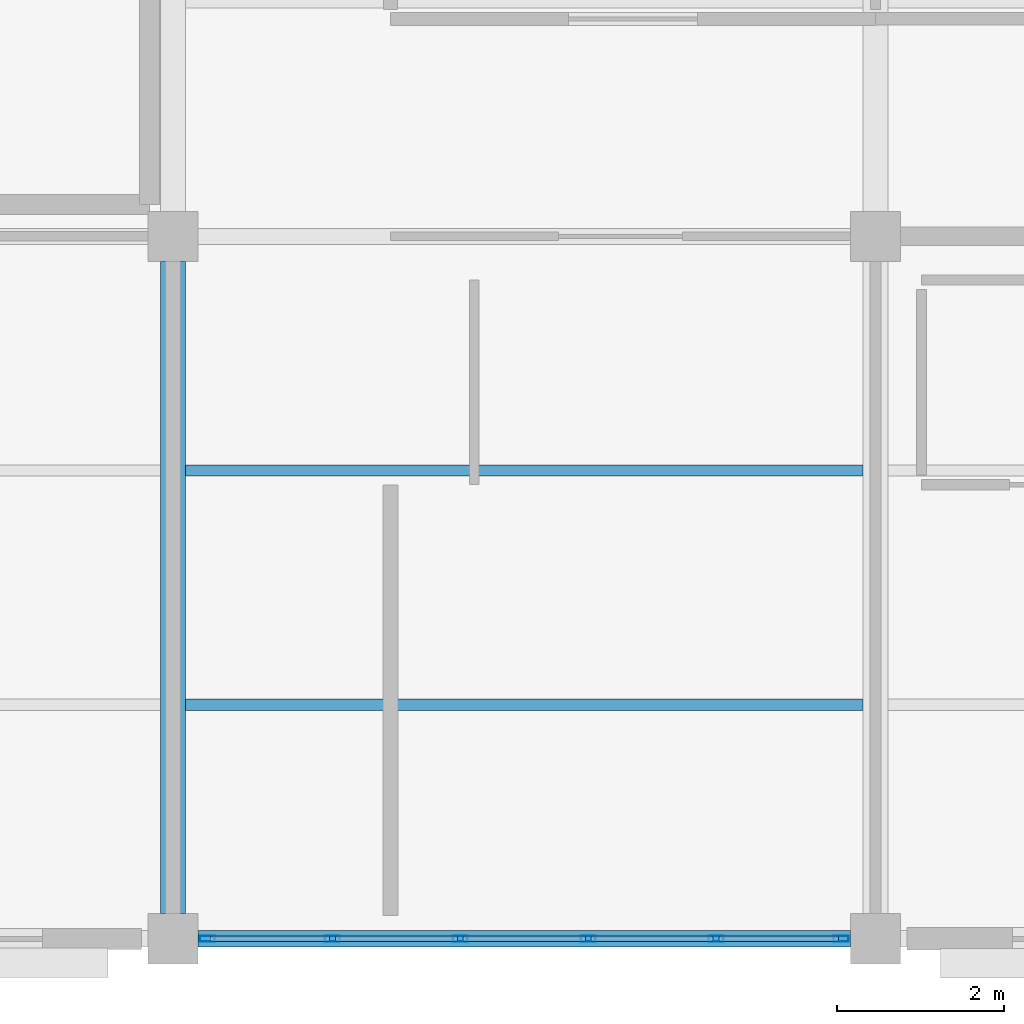
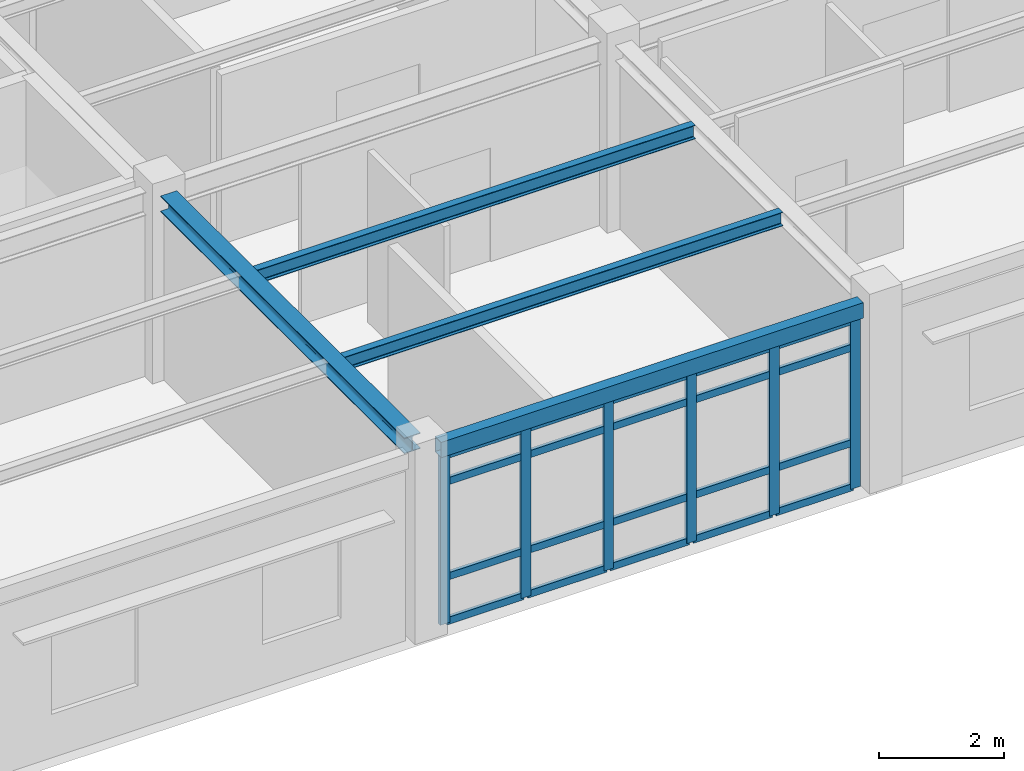
# One storey, part 6 of 70: 26 members, 4 beams, 1 element without a shape of its own.
"""IFC4 building model written with IfcOpenShell, lengths in metres."""

from ifc_helpers import new_model, si_unit, direction, frame, origin, origin_2d, place, context, subcontext, project, spatial, hollow_rectangle, i_section, extrude, material, layer, layer_set, material_profile, profile_set, type_object, element, aggregate, save


model = new_model("IFC4")

# Units and contexts
model_context = context("Model", 3, precision=1e-05, world=origin(), true_north=direction((0.0, 1.0)))
body_context = subcontext(model_context, "Body", "Model", "MODEL_VIEW")
ifc_project = project(units=[si_unit("LENGTHUNIT", "METRE"), si_unit("AREAUNIT", "SQUARE_METRE"), si_unit("VOLUMEUNIT", "CUBIC_METRE"), si_unit("PLANEANGLEUNIT", "RADIAN"), si_unit("MASSUNIT", "GRAM", prefix="KILO")], contexts=[model_context])

# Site, building, storey
site_placement = place(None, origin())
site = spatial("IfcSite", under=ifc_project, at=site_placement, CompositionType="ELEMENT")
building_placement = place(site_placement, origin())
building = spatial("IfcBuilding", under=site, at=building_placement, Name="Bramfleet General Hospital", CompositionType="ELEMENT")
storey_placement = place(building_placement, frame((0.0, 0.0, 22.5)))
storey = spatial("IfcBuildingStorey", under=building, at=storey_placement, Name="L05", CompositionType="ELEMENT", Elevation=22.5)

# Beams
ifc_material_1 = material(Name="Steel S355", Category="steel")
ifc_material_profile_1 = material_profile(ifc_material_1, i_section(OverallWidth=0.300048828125, OverallDepth=0.31005859375, WebThickness=0.009033203125, FlangeThickness=0.015380859375, FilletRadius=0.027099609375, at=origin_2d()), Name="HEA 320")
ifc_profile_set_1 = profile_set([ifc_material_profile_1], Name="Steel S355")
beam_type_1 = type_object("IfcBeamType", Name="BM-HEA320", PredefinedType="BEAM", material=ifc_profile_set_1)
beam_1_placement = place(storey_placement, frame((109.199951171875, 0.300048828125, 3.465087890625), z_axis=(0.0, 1.0, 0.0), x_axis=(-1.0, 0.0, 0.0)))
element("IfcBeam", 1, at=beam_1_placement, inside=storey, type_object=beam_type_1, Name="L05 Grid Beam Y 13-00", PredefinedType="BEAM", context=body_context, shape_type="SweptSolid", body=[
    extrude(i_section(OverallWidth=0.300048828125, OverallDepth=0.31005859375, WebThickness=0.009033203125, FlangeThickness=0.015380859375, FilletRadius=0.027099609375, at=origin_2d()), origin(), (0.0, 0.0, 1.0), 7.800048828125),
])
ifc_material_profile_2 = material_profile(ifc_material_1, i_section(OverallWidth=0.135009765625, OverallDepth=0.27001953125, WebThickness=0.006591796875, FlangeThickness=0.01025390625, FilletRadius=0.014892578125, at=origin_2d()), Name="IPE 270")
ifc_profile_set_2 = profile_set([ifc_material_profile_2], Name="Steel S355")
beam_type_2 = type_object("IfcBeamType", Name="BM-IPE270", PredefinedType="JOIST", material=ifc_profile_set_2)
for number, where, z_axis, x_axis, name in (
    (2, (109.35009765625, 2.800048828125, 3.485107421875), (1.0, 0.0, 0.0), (0.0, 1.0, 0.0), "L05 Secondary Joist 13-00-1"),
    (3, (109.35009765625, 5.60009765625, 3.485107421875), (1.0, 0.0, 0.0), (0.0, 1.0, 0.0), "L05 Secondary Joist 13-00-2"),
):
    element("IfcBeam", number, at=place(storey_placement, frame(where, z_axis=z_axis, x_axis=x_axis)), inside=storey, type_object=beam_type_2, Name=name, PredefinedType="JOIST", context=body_context, shape_type="SweptSolid", body=[
        extrude(i_section(OverallWidth=0.135009765625, OverallDepth=0.27001953125, WebThickness=0.006591796875, FlangeThickness=0.01025390625, FilletRadius=0.014892578125, at=origin_2d()), origin(), (0.0, 0.0, 1.0), 8.099853515625),
    ])
ifc_material_profile_3 = material_profile(ifc_material_1, hollow_rectangle(XDim=0.199951171875, YDim=0.300048828125, WallThickness=0.012451171875, at=origin_2d()), Name="RHS 300x200x12.5")
ifc_profile_set_3 = profile_set([ifc_material_profile_3], Name="Steel S355")
beam_type_3 = type_object("IfcBeamType", Name="BM-RHS300", PredefinedType="SPANDREL", material=ifc_profile_set_3)
beam_2_placement = place(storey_placement, frame((109.5, 0.0, 3.469970703125), z_axis=(1.0, 0.0, 0.0), x_axis=(0.0, 1.0, 0.0)))
element("IfcBeam", 4, at=beam_2_placement, inside=storey, type_object=beam_type_3, Name="L05 Grid Beam X 13-00", PredefinedType="SPANDREL", context=body_context, shape_type="SweptSolid", body=[
    extrude(hollow_rectangle(XDim=0.199951171875, YDim=0.300048828125, WallThickness=0.012451171875, at=origin_2d()), origin(), (0.0, 0.0, 1.0), 7.800048828125),
])

# Curtain wall, members
ifc_material_2 = material(Name="Anodised aluminium and low-E triple glazing", Category="aluminium")
ifc_layer = layer(ifc_material_2, 0.179931640625, Name="CWT-CW-12")
ifc_layer_set = layer_set([ifc_layer], Name="Anodised aluminium and low-E triple glazing")
curtain_wall_type = type_object("IfcCurtainWallType", Name="CWT-CW-12", PredefinedType="USERDEFINED", material=ifc_layer_set)
curtain_wall_placement = place(storey_placement, origin())
curtain_wall = element("IfcCurtainWall", 5, at=curtain_wall_placement, inside=storey, type_object=curtain_wall_type, Name="L05 Curtain Wall 210", ObjectType="Stick curtain wall", PredefinedType="USERDEFINED")
ifc_material_3 = material(Name="Anodised aluminium EN AW-6060", Category="aluminium")
ifc_material_profile_4 = material_profile(ifc_material_3, hollow_rectangle(XDim=0.070068359375, YDim=0.179931640625, WallThickness=0.00390625, at=origin_2d()), Name="ALU 180x70x4.0")
ifc_profile_set_4 = profile_set([ifc_material_profile_4], Name="Anodised aluminium EN AW-6060")
member_type_1 = type_object("IfcMemberType", Name="CWM-ALU180", PredefinedType="MULLION", material=ifc_profile_set_4)
member_1_placement = place(storey_placement, frame((117.18994140625, 0.0, 0.0), z_axis=(0.0, 0.0, 1.0), x_axis=(0.0, -1.0, 0.0)))
member_1 = element("IfcMember", 6, at=member_1_placement, type_object=member_type_1, Name="CW-12 mullion 1", PredefinedType="MULLION", context=body_context, shape_type="SweptSolid", body=[
    extrude(hollow_rectangle(XDim=0.070068359375, YDim=0.179931640625, WallThickness=0.00390625, at=origin_2d()), origin(), (0.0, 0.0, 1.0), 3.31005859375),
])
member_2_placement = place(storey_placement, frame((115.695068359375, 0.0, 0.0), z_axis=(0.0, 0.0, 1.0), x_axis=(0.0, -1.0, 0.0)))
member_2 = element("IfcMember", 7, at=member_2_placement, type_object=member_type_1, Name="CW-12 mullion 2", PredefinedType="MULLION", context=body_context, shape_type="SweptSolid", body=[
    extrude(hollow_rectangle(XDim=0.070068359375, YDim=0.179931640625, WallThickness=0.00390625, at=origin_2d()), origin(), (0.0, 0.0, 1.0), 3.31005859375),
])
member_3_placement = place(storey_placement, frame((114.1650390625, 0.0, 0.0), z_axis=(0.0, 0.0, 1.0), x_axis=(0.0, -1.0, 0.0)))
member_3 = element("IfcMember", 8, at=member_3_placement, type_object=member_type_1, Name="CW-12 mullion 3", PredefinedType="MULLION", context=body_context, shape_type="SweptSolid", body=[
    extrude(hollow_rectangle(XDim=0.070068359375, YDim=0.179931640625, WallThickness=0.00390625, at=origin_2d()), origin(), (0.0, 0.0, 1.0), 3.31005859375),
])
member_4_placement = place(storey_placement, frame((112.635009765625, 0.0, 0.0), z_axis=(0.0, 0.0, 1.0), x_axis=(0.0, -1.0, 0.0)))
member_4 = element("IfcMember", 9, at=member_4_placement, type_object=member_type_1, Name="CW-12 mullion 4", PredefinedType="MULLION", context=body_context, shape_type="SweptSolid", body=[
    extrude(hollow_rectangle(XDim=0.070068359375, YDim=0.179931640625, WallThickness=0.00390625, at=origin_2d()), origin(), (0.0, 0.0, 1.0), 3.31005859375),
])
member_5_placement = place(storey_placement, frame((111.10498046875, 0.0, 0.0), z_axis=(0.0, 0.0, 1.0), x_axis=(0.0, -1.0, 0.0)))
member_5 = element("IfcMember", 10, at=member_5_placement, type_object=member_type_1, Name="CW-12 mullion 5", PredefinedType="MULLION", context=body_context, shape_type="SweptSolid", body=[
    extrude(hollow_rectangle(XDim=0.070068359375, YDim=0.179931640625, WallThickness=0.00390625, at=origin_2d()), origin(), (0.0, 0.0, 1.0), 3.31005859375),
])
member_6_placement = place(storey_placement, frame((109.610107421875, 0.0, 0.0), z_axis=(0.0, 0.0, 1.0), x_axis=(0.0, -1.0, 0.0)))
member_6 = element("IfcMember", 11, at=member_6_placement, type_object=member_type_1, Name="CW-12 mullion 6", PredefinedType="MULLION", context=body_context, shape_type="SweptSolid", body=[
    extrude(hollow_rectangle(XDim=0.070068359375, YDim=0.179931640625, WallThickness=0.00390625, at=origin_2d()), origin(), (0.0, 0.0, 1.0), 3.31005859375),
])
ifc_material_profile_5 = material_profile(ifc_material_3, hollow_rectangle(XDim=0.06494140625, YDim=0.139892578125, WallThickness=0.00390625, at=origin_2d()), Name="ALU 140x65x4.0")
ifc_profile_set_5 = profile_set([ifc_material_profile_5], Name="Anodised aluminium EN AW-6060")
member_type_2 = type_object("IfcMemberType", Name="CWT-ALU140", PredefinedType="USERDEFINED", material=ifc_profile_set_5)
member_7_placement = place(storey_placement, frame((117.155029296875, 0.0, 0.032470703125), z_axis=(-1.0, 0.0, 0.0), x_axis=(0.0, -1.0, 0.0)))
member_7 = element("IfcMember", 12, at=member_7_placement, type_object=member_type_2, Name="CW-12 transom 1.1", ObjectType="TRANSOM", PredefinedType="USERDEFINED", context=body_context, shape_type="SweptSolid", body=[
    extrude(hollow_rectangle(XDim=0.06494140625, YDim=0.139892578125, WallThickness=0.00390625, at=origin_2d()), origin(), (0.0, 0.0, 1.0), 1.425048828125),
])
member_8_placement = place(storey_placement, frame((117.155029296875, 0.0, 0.89990234375), z_axis=(-1.0, 0.0, 0.0), x_axis=(0.0, -1.0, 0.0)))
member_8 = element("IfcMember", 13, at=member_8_placement, type_object=member_type_2, Name="CW-12 transom 1.2", ObjectType="TRANSOM", PredefinedType="USERDEFINED", context=body_context, shape_type="SweptSolid", body=[
    extrude(hollow_rectangle(XDim=0.06494140625, YDim=0.139892578125, WallThickness=0.00390625, at=origin_2d()), origin(), (0.0, 0.0, 1.0), 1.425048828125),
])
member_9_placement = place(storey_placement, frame((117.155029296875, 0.0, 2.760009765625), z_axis=(-1.0, 0.0, 0.0), x_axis=(0.0, -1.0, 0.0)))
member_9 = element("IfcMember", 14, at=member_9_placement, type_object=member_type_2, Name="CW-12 transom 1.3", ObjectType="TRANSOM", PredefinedType="USERDEFINED", context=body_context, shape_type="SweptSolid", body=[
    extrude(hollow_rectangle(XDim=0.06494140625, YDim=0.139892578125, WallThickness=0.00390625, at=origin_2d()), origin(), (0.0, 0.0, 1.0), 1.425048828125),
])
member_10_placement = place(storey_placement, frame((117.155029296875, 0.0, 3.277587890625), z_axis=(-1.0, 0.0, 0.0), x_axis=(0.0, -1.0, 0.0)))
member_10 = element("IfcMember", 15, at=member_10_placement, type_object=member_type_2, Name="CW-12 transom 1.4", ObjectType="TRANSOM", PredefinedType="USERDEFINED", context=body_context, shape_type="SweptSolid", body=[
    extrude(hollow_rectangle(XDim=0.06494140625, YDim=0.139892578125, WallThickness=0.00390625, at=origin_2d()), origin(), (0.0, 0.0, 1.0), 1.425048828125),
])
member_11_placement = place(storey_placement, frame((115.659912109375, 0.0, 0.032470703125), z_axis=(-1.0, 0.0, 0.0), x_axis=(0.0, -1.0, 0.0)))
member_11 = element("IfcMember", 16, at=member_11_placement, type_object=member_type_2, Name="CW-12 transom 2.1", ObjectType="TRANSOM", PredefinedType="USERDEFINED", context=body_context, shape_type="SweptSolid", body=[
    extrude(hollow_rectangle(XDim=0.06494140625, YDim=0.139892578125, WallThickness=0.00390625, at=origin_2d()), origin(), (0.0, 0.0, 1.0), 1.4599609375),
])
member_12_placement = place(storey_placement, frame((115.659912109375, 0.0, 0.89990234375), z_axis=(-1.0, 0.0, 0.0), x_axis=(0.0, -1.0, 0.0)))
member_12 = element("IfcMember", 17, at=member_12_placement, type_object=member_type_2, Name="CW-12 transom 2.2", ObjectType="TRANSOM", PredefinedType="USERDEFINED", context=body_context, shape_type="SweptSolid", body=[
    extrude(hollow_rectangle(XDim=0.06494140625, YDim=0.139892578125, WallThickness=0.00390625, at=origin_2d()), origin(), (0.0, 0.0, 1.0), 1.4599609375),
])
member_13_placement = place(storey_placement, frame((115.659912109375, 0.0, 2.760009765625), z_axis=(-1.0, 0.0, 0.0), x_axis=(0.0, -1.0, 0.0)))
member_13 = element("IfcMember", 18, at=member_13_placement, type_object=member_type_2, Name="CW-12 transom 2.3", ObjectType="TRANSOM", PredefinedType="USERDEFINED", context=body_context, shape_type="SweptSolid", body=[
    extrude(hollow_rectangle(XDim=0.06494140625, YDim=0.139892578125, WallThickness=0.00390625, at=origin_2d()), origin(), (0.0, 0.0, 1.0), 1.4599609375),
])
member_14_placement = place(storey_placement, frame((115.659912109375, 0.0, 3.277587890625), z_axis=(-1.0, 0.0, 0.0), x_axis=(0.0, -1.0, 0.0)))
member_14 = element("IfcMember", 19, at=member_14_placement, type_object=member_type_2, Name="CW-12 transom 2.4", ObjectType="TRANSOM", PredefinedType="USERDEFINED", context=body_context, shape_type="SweptSolid", body=[
    extrude(hollow_rectangle(XDim=0.06494140625, YDim=0.139892578125, WallThickness=0.00390625, at=origin_2d()), origin(), (0.0, 0.0, 1.0), 1.4599609375),
])
member_15_placement = place(storey_placement, frame((114.1298828125, 0.0, 0.032470703125), z_axis=(-1.0, 0.0, 0.0), x_axis=(0.0, -1.0, 0.0)))
member_15 = element("IfcMember", 20, at=member_15_placement, type_object=member_type_2, Name="CW-12 transom 3.1", ObjectType="TRANSOM", PredefinedType="USERDEFINED", context=body_context, shape_type="SweptSolid", body=[
    extrude(hollow_rectangle(XDim=0.06494140625, YDim=0.139892578125, WallThickness=0.00390625, at=origin_2d()), origin(), (0.0, 0.0, 1.0), 1.4599609375),
])
member_16_placement = place(storey_placement, frame((114.1298828125, 0.0, 0.89990234375), z_axis=(-1.0, 0.0, 0.0), x_axis=(0.0, -1.0, 0.0)))
member_16 = element("IfcMember", 21, at=member_16_placement, type_object=member_type_2, Name="CW-12 transom 3.2", ObjectType="TRANSOM", PredefinedType="USERDEFINED", context=body_context, shape_type="SweptSolid", body=[
    extrude(hollow_rectangle(XDim=0.06494140625, YDim=0.139892578125, WallThickness=0.00390625, at=origin_2d()), origin(), (0.0, 0.0, 1.0), 1.4599609375),
])
member_17_placement = place(storey_placement, frame((114.1298828125, 0.0, 2.760009765625), z_axis=(-1.0, 0.0, 0.0), x_axis=(0.0, -1.0, 0.0)))
member_17 = element("IfcMember", 22, at=member_17_placement, type_object=member_type_2, Name="CW-12 transom 3.3", ObjectType="TRANSOM", PredefinedType="USERDEFINED", context=body_context, shape_type="SweptSolid", body=[
    extrude(hollow_rectangle(XDim=0.06494140625, YDim=0.139892578125, WallThickness=0.00390625, at=origin_2d()), origin(), (0.0, 0.0, 1.0), 1.4599609375),
])
member_18_placement = place(storey_placement, frame((114.1298828125, 0.0, 3.277587890625), z_axis=(-1.0, 0.0, 0.0), x_axis=(0.0, -1.0, 0.0)))
member_18 = element("IfcMember", 23, at=member_18_placement, type_object=member_type_2, Name="CW-12 transom 3.4", ObjectType="TRANSOM", PredefinedType="USERDEFINED", context=body_context, shape_type="SweptSolid", body=[
    extrude(hollow_rectangle(XDim=0.06494140625, YDim=0.139892578125, WallThickness=0.00390625, at=origin_2d()), origin(), (0.0, 0.0, 1.0), 1.4599609375),
])
member_19_placement = place(storey_placement, frame((112.60009765625, 0.0, 0.032470703125), z_axis=(-1.0, 0.0, 0.0), x_axis=(0.0, -1.0, 0.0)))
member_19 = element("IfcMember", 24, at=member_19_placement, type_object=member_type_2, Name="CW-12 transom 4.1", ObjectType="TRANSOM", PredefinedType="USERDEFINED", context=body_context, shape_type="SweptSolid", body=[
    extrude(hollow_rectangle(XDim=0.06494140625, YDim=0.139892578125, WallThickness=0.00390625, at=origin_2d()), origin(), (0.0, 0.0, 1.0), 1.460205078125),
])
member_20_placement = place(storey_placement, frame((112.60009765625, 0.0, 0.89990234375), z_axis=(-1.0, 0.0, 0.0), x_axis=(0.0, -1.0, 0.0)))
member_20 = element("IfcMember", 25, at=member_20_placement, type_object=member_type_2, Name="CW-12 transom 4.2", ObjectType="TRANSOM", PredefinedType="USERDEFINED", context=body_context, shape_type="SweptSolid", body=[
    extrude(hollow_rectangle(XDim=0.06494140625, YDim=0.139892578125, WallThickness=0.00390625, at=origin_2d()), origin(), (0.0, 0.0, 1.0), 1.460205078125),
])
member_21_placement = place(storey_placement, frame((112.60009765625, 0.0, 2.760009765625), z_axis=(-1.0, 0.0, 0.0), x_axis=(0.0, -1.0, 0.0)))
member_21 = element("IfcMember", 26, at=member_21_placement, type_object=member_type_2, Name="CW-12 transom 4.3", ObjectType="TRANSOM", PredefinedType="USERDEFINED", context=body_context, shape_type="SweptSolid", body=[
    extrude(hollow_rectangle(XDim=0.06494140625, YDim=0.139892578125, WallThickness=0.00390625, at=origin_2d()), origin(), (0.0, 0.0, 1.0), 1.460205078125),
])
member_22_placement = place(storey_placement, frame((112.60009765625, 0.0, 3.277587890625), z_axis=(-1.0, 0.0, 0.0), x_axis=(0.0, -1.0, 0.0)))
member_22 = element("IfcMember", 27, at=member_22_placement, type_object=member_type_2, Name="CW-12 transom 4.4", ObjectType="TRANSOM", PredefinedType="USERDEFINED", context=body_context, shape_type="SweptSolid", body=[
    extrude(hollow_rectangle(XDim=0.06494140625, YDim=0.139892578125, WallThickness=0.00390625, at=origin_2d()), origin(), (0.0, 0.0, 1.0), 1.460205078125),
])
member_23_placement = place(storey_placement, frame((111.070068359375, 0.0, 0.032470703125), z_axis=(-1.0, 0.0, 0.0), x_axis=(0.0, -1.0, 0.0)))
member_23 = element("IfcMember", 28, at=member_23_placement, type_object=member_type_2, Name="CW-12 transom 5.1", ObjectType="TRANSOM", PredefinedType="USERDEFINED", context=body_context, shape_type="SweptSolid", body=[
    extrude(hollow_rectangle(XDim=0.06494140625, YDim=0.139892578125, WallThickness=0.00390625, at=origin_2d()), origin(), (0.0, 0.0, 1.0), 1.425048828125),
])
member_24_placement = place(storey_placement, frame((111.070068359375, 0.0, 0.89990234375), z_axis=(-1.0, 0.0, 0.0), x_axis=(0.0, -1.0, 0.0)))
member_24 = element("IfcMember", 29, at=member_24_placement, type_object=member_type_2, Name="CW-12 transom 5.2", ObjectType="TRANSOM", PredefinedType="USERDEFINED", context=body_context, shape_type="SweptSolid", body=[
    extrude(hollow_rectangle(XDim=0.06494140625, YDim=0.139892578125, WallThickness=0.00390625, at=origin_2d()), origin(), (0.0, 0.0, 1.0), 1.425048828125),
])
member_25_placement = place(storey_placement, frame((111.070068359375, 0.0, 2.760009765625), z_axis=(-1.0, 0.0, 0.0), x_axis=(0.0, -1.0, 0.0)))
member_25 = element("IfcMember", 30, at=member_25_placement, type_object=member_type_2, Name="CW-12 transom 5.3", ObjectType="TRANSOM", PredefinedType="USERDEFINED", context=body_context, shape_type="SweptSolid", body=[
    extrude(hollow_rectangle(XDim=0.06494140625, YDim=0.139892578125, WallThickness=0.00390625, at=origin_2d()), origin(), (0.0, 0.0, 1.0), 1.425048828125),
])
member_26_placement = place(storey_placement, frame((111.070068359375, 0.0, 3.277587890625), z_axis=(-1.0, 0.0, 0.0), x_axis=(0.0, -1.0, 0.0)))
member_26 = element("IfcMember", 31, at=member_26_placement, type_object=member_type_2, Name="CW-12 transom 5.4", ObjectType="TRANSOM", PredefinedType="USERDEFINED", context=body_context, shape_type="SweptSolid", body=[
    extrude(hollow_rectangle(XDim=0.06494140625, YDim=0.139892578125, WallThickness=0.00390625, at=origin_2d()), origin(), (0.0, 0.0, 1.0), 1.425048828125),
])
aggregate(curtain_wall, [member_1, member_2, member_3, member_4, member_5, member_6, member_7, member_8, member_9, member_10, member_11, member_12, member_13, member_14, member_15, member_16, member_17, member_18, member_19, member_20, member_21, member_22, member_23, member_24, member_25, member_26])

save(model, "model.ifc")
